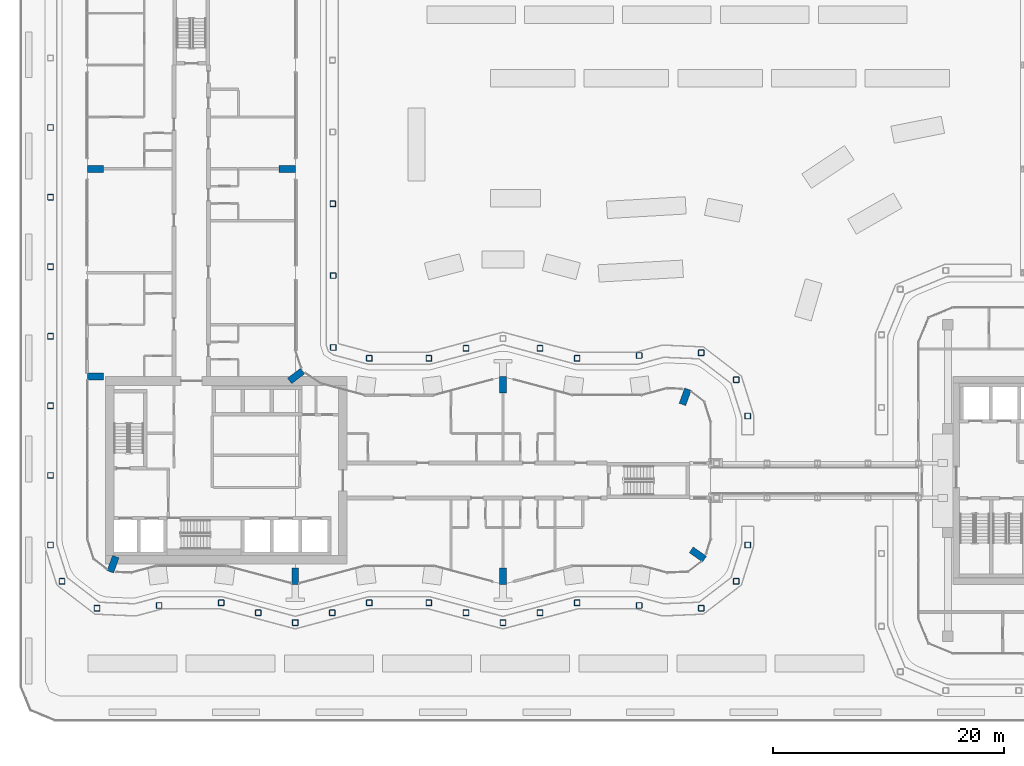
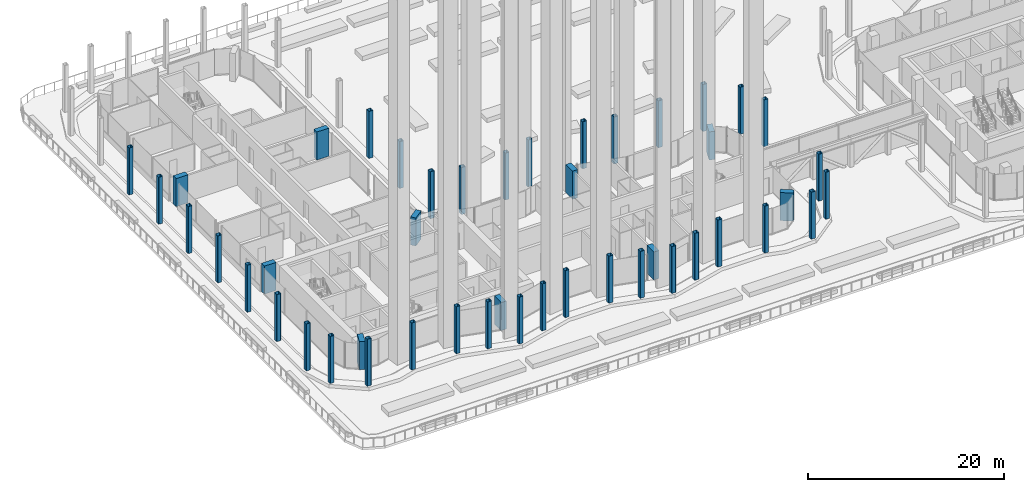
# One storey, part 1 of 33: 46 columns.
"""IFC4 building model written with IfcOpenShell, lengths in metres."""

from ifc_helpers import new_model, si_unit, direction, frame, origin, origin_2d, place, context, subcontext, project, spatial, rectangle, hollow_rectangle, extrude, material, material_profile, profile_set, type_object, element, save


model = new_model("IFC4")

# Units and contexts
model_context = context("Model", 3, precision=1e-05, world=origin(), true_north=direction((0.0, 1.0)))
body_context = subcontext(model_context, "Body", "Model", "MODEL_VIEW")
ifc_project = project(units=[si_unit("LENGTHUNIT", "METRE"), si_unit("AREAUNIT", "SQUARE_METRE"), si_unit("VOLUMEUNIT", "CUBIC_METRE"), si_unit("PLANEANGLEUNIT", "RADIAN"), si_unit("MASSUNIT", "GRAM", prefix="KILO")], contexts=[model_context])

# Site, building, storey
site_placement = place(None, origin())
site = spatial("IfcSite", under=ifc_project, at=site_placement, CompositionType="ELEMENT")
building_placement = place(site_placement, origin())
building = spatial("IfcBuilding", under=site, at=building_placement, Name="Plateau Cross Towers", CompositionType="ELEMENT")
storey_placement = place(building_placement, frame((0.0, 0.0, 26.800048828125)))
storey = spatial("IfcBuildingStorey", under=building, at=storey_placement, Name="L05", CompositionType="ELEMENT", Elevation=26.800048828125)

# Columns
ifc_material_1 = material(Name="Concrete C60/75", Category="concrete")
ifc_material_profile_1 = material_profile(ifc_material_1, rectangle(XDim=0.60009765625, YDim=1.39990234375, at=origin_2d()), Name="RC 600x1400")
ifc_profile_set_1 = profile_set([ifc_material_profile_1], Name="Concrete C60/75")
column_type_1 = type_object("IfcColumnType", Name="Fin pier column RC 600x1400", PredefinedType="COLUMN", material=ifc_profile_set_1)
for number, where, z_axis, x_axis, name in (
    (1, (18.0, 0.699951171875, 0.0), (0.0, 0.0, 1.0), (1.0, 0.0, 0.0), "PR1 L05"),
    (2, (36.0, 0.699951171875, 0.0), (0.0, 0.0, 1.0), (1.0, 0.0, 0.0), "PR2 L05"),
    (3, (52.884033203125, 2.590087890625, 0.0), (0.0, 0.0, 1.0), (0.573542637991, 0.819175709117, 0.0), "PR3 L05"),
    (4, (51.786865234375, 16.251953125, 0.0), (0.0, 0.0, 1.0), (-0.939664280925, 0.342097996418, 0.0), "PR4 L05"),
    (5, (36.0, 17.300048828125, 0.0), (0.0, 0.0, 1.0), (1.0, 0.0, 0.0), "PR5 L05"),
    (6, (18.064697265625, 18.049560546875, 0.0), (0.0, 0.0, 1.0), (-0.608810846443, 0.793315418515, 0.0), "PR6 L05"),
    (7, (17.300048828125, 36.0, 0.0), (0.0, 0.0, 1.0), (0.0, 1.0, 0.0), "PR7 L05"),
    (8, (0.699951171875, 36.0, 0.0), (0.0, 0.0, 1.0), (0.0, 1.0, 0.0), "PR10 L05"),
    (9, (0.699951171875, 18.0, 0.0), (0.0, 0.0, 1.0), (0.0, 1.0, 0.0), "PR11 L05"),
    (10, (2.213134765625, 1.748046875, 0.0), (0.0, 0.0, 1.0), (-0.939664280925, 0.342097996418, 0.0), "PR12 L05"),
):
    element("IfcColumn", number, at=place(storey_placement, frame(where, z_axis=z_axis, x_axis=x_axis)), inside=storey, type_object=column_type_1, Name=name, PredefinedType="COLUMN", context=body_context, shape_type="SweptSolid", body=[
        extrude(rectangle(XDim=0.60009765625, YDim=1.39990234375, at=origin_2d()), origin(), (0.0, 0.0, 1.0), 3.5),
    ])
ifc_material_2 = material(Name="Steel S355", Category="steel")
ifc_material_profile_2 = material_profile(ifc_material_2, hollow_rectangle(XDim=0.5, YDim=0.5, WallThickness=0.02490234375, InnerFilletRadius=0.02490234375, OuterFilletRadius=0.050048828125, at=origin_2d()), Name="SHS 500x500x25")
ifc_profile_set_2 = profile_set([ifc_material_profile_2], Name="Steel S355")
column_type_2 = type_object("IfcColumnType", Name="Plinth column SHS 500x500x25", PredefinedType="COLUMN", material=ifc_profile_set_2)
for number, where, z_axis, x_axis, name in (
    (11, (0.825927734375, -2.062744140625, 0.449951171875), (0.0, 0.0, 1.0), (1.0, 0.0, 0.0), "Plinth column 20"),
    (12, (-2.2060546875, 0.26416015625, 0.449951171875), (0.0, 0.0, 1.0), (1.0, 0.0, 0.0), "Plinth column 21"),
    (13, (-3.199951171875, 3.416748046875, 0.449951171875), (0.0, 0.0, 1.0), (1.0, 0.0, 0.0), "Plinth column 22"),
    (14, (-3.199951171875, 9.444091796875, 0.449951171875), (0.0, 0.0, 1.0), (1.0, 0.0, 0.0), "Plinth column 23"),
    (15, (-3.199951171875, 15.4716796875, 0.449951171875), (0.0, 0.0, 1.0), (1.0, 0.0, 0.0), "Plinth column 24"),
    (16, (-3.199951171875, 21.4990234375, 0.449951171875), (0.0, 0.0, 1.0), (1.0, 0.0, 0.0), "Plinth column 25"),
    (17, (-3.199951171875, 27.526611328125, 0.449951171875), (0.0, 0.0, 1.0), (1.0, 0.0, 0.0), "Plinth column 26"),
    (18, (-3.199951171875, 33.55419921875, 0.449951171875), (0.0, 0.0, 1.0), (1.0, 0.0, 0.0), "Plinth column 27"),
    (19, (-3.199951171875, 39.58154296875, 0.449951171875), (0.0, 0.0, 1.0), (1.0, 0.0, 0.0), "Plinth column 28"),
    (20, (21.260498046875, 32.974609375, 0.449951171875), (0.0, 0.0, 1.0), (1.0, 0.0, 0.0), "Plinth column 40"),
    (21, (21.28076171875, 26.75390625, 0.449951171875), (0.0, 0.0, 1.0), (1.0, 0.0, 0.0), "Plinth column 41"),
    (22, (21.301025390625, 20.533203125, 0.449951171875), (0.0, 0.0, 1.0), (1.0, 0.0, 0.0), "Plinth column 42"),
    (23, (24.421142578125, 19.593017578125, 0.449951171875), (0.0, 0.0, 1.0), (1.0, 0.0, 0.0), "Plinth column 43"),
    (24, (29.578857421875, 19.593017578125, 0.449951171875), (0.0, 0.0, 1.0), (1.0, 0.0, 0.0), "Plinth column 44"),
    (25, (32.78955078125, 20.452880859375, 0.449951171875), (0.0, 0.0, 1.0), (1.0, 0.0, 0.0), "Plinth column 45"),
    (26, (39.21044921875, 20.452880859375, 0.449951171875), (0.0, 0.0, 1.0), (1.0, 0.0, 0.0), "Plinth column 47"),
    (27, (42.421142578125, 19.593017578125, 0.449951171875), (0.0, 0.0, 1.0), (1.0, 0.0, 0.0), "Plinth column 48"),
    (28, (47.797607421875, 19.827880859375, 0.449951171875), (0.0, 0.0, 1.0), (1.0, 0.0, 0.0), "Plinth column 49"),
    (29, (53.174072265625, 20.062744140625, 0.449951171875), (0.0, 0.0, 1.0), (1.0, 0.0, 0.0), "Plinth column 50"),
    (30, (56.2060546875, 17.73583984375, 0.449951171875), (0.0, 0.0, 1.0), (1.0, 0.0, 0.0), "Plinth column 51"),
    (31, (57.199951171875, 14.583251953125, 0.449951171875), (0.0, 0.0, 1.0), (1.0, 0.0, 0.0), "Plinth column 52"),
    (32, (57.199951171875, 3.416748046875, 0.449951171875), (0.0, 0.0, 1.0), (1.0, 0.0, 0.0), "Plinth column 53"),
    (33, (56.2060546875, 0.26416015625, 0.449951171875), (0.0, 0.0, 1.0), (1.0, 0.0, 0.0), "Plinth column 54"),
    (34, (53.174072265625, -2.062744140625, 0.449951171875), (0.0, 0.0, 1.0), (1.0, 0.0, 0.0), "Plinth column 55"),
    (35, (47.797607421875, -1.827880859375, 0.449951171875), (0.0, 0.0, 1.0), (1.0, 0.0, 0.0), "Plinth column 56"),
    (36, (42.421142578125, -1.593017578125, 0.449951171875), (0.0, 0.0, 1.0), (1.0, 0.0, 0.0), "Plinth column 57"),
    (37, (39.21044921875, -2.452880859375, 0.449951171875), (0.0, 0.0, 1.0), (1.0, 0.0, 0.0), "Plinth column 58"),
    (38, (36.0, -3.312744140625, 0.449951171875), (0.0, 0.0, 1.0), (1.0, 0.0, 0.0), "Plinth column 59"),
    (39, (32.78955078125, -2.452880859375, 0.449951171875), (0.0, 0.0, 1.0), (1.0, 0.0, 0.0), "Plinth column 60"),
    (40, (29.578857421875, -1.593017578125, 0.449951171875), (0.0, 0.0, 1.0), (1.0, 0.0, 0.0), "Plinth column 61"),
    (41, (24.421142578125, -1.593017578125, 0.449951171875), (0.0, 0.0, 1.0), (1.0, 0.0, 0.0), "Plinth column 62"),
    (42, (21.21044921875, -2.452880859375, 0.449951171875), (0.0, 0.0, 1.0), (1.0, 0.0, 0.0), "Plinth column 63"),
    (43, (18.0, -3.312744140625, 0.449951171875), (0.0, 0.0, 1.0), (1.0, 0.0, 0.0), "Plinth column 64"),
    (44, (14.78955078125, -2.452880859375, 0.449951171875), (0.0, 0.0, 1.0), (1.0, 0.0, 0.0), "Plinth column 65"),
    (45, (11.578857421875, -1.593017578125, 0.449951171875), (0.0, 0.0, 1.0), (1.0, 0.0, 0.0), "Plinth column 66"),
    (46, (6.202392578125, -1.827880859375, 0.449951171875), (0.0, 0.0, 1.0), (1.0, 0.0, 0.0), "Plinth column 67"),
):
    element("IfcColumn", number, at=place(storey_placement, frame(where, z_axis=z_axis, x_axis=x_axis)), inside=storey, type_object=column_type_2, Name=name, PredefinedType="COLUMN", context=body_context, shape_type="SweptSolid", body=[
        extrude(hollow_rectangle(XDim=0.5, YDim=0.5, WallThickness=0.02490234375, InnerFilletRadius=0.02490234375, OuterFilletRadius=0.050048828125, at=origin_2d()), origin(), (0.0, 0.0, 1.0), 5.85009765625),
    ])

save(model, "model.ifc")
